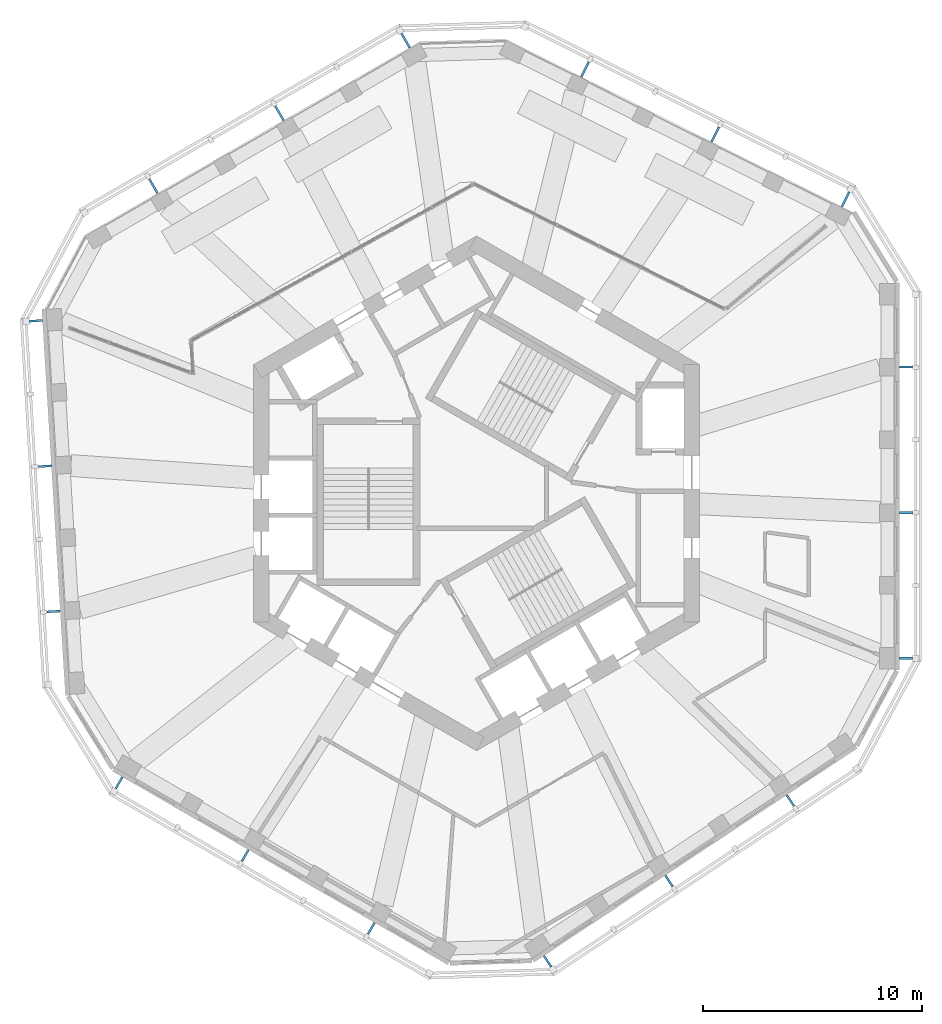
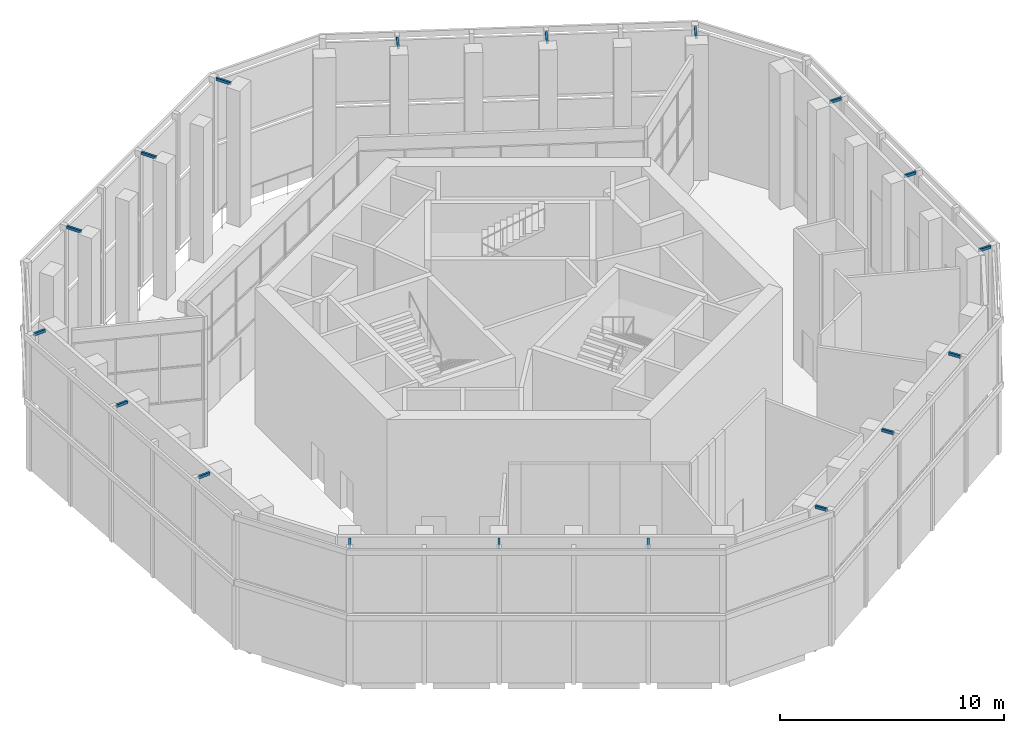
# One storey, part 13 of 16: 18 discrete accessories.
"""IFC4 building model written with IfcOpenShell, lengths in metres."""

from ifc_helpers import new_model, si_unit, direction, frame, origin, origin_2d, place, context, subcontext, project, spatial, rectangle, extrude, material, type_object, element, save


model = new_model("IFC4")

# Units and contexts
model_context = context("Model", 3, precision=1e-05, world=origin(), true_north=direction((0.0, 1.0)))
body_context = subcontext(model_context, "Body", "Model", "MODEL_VIEW")
ifc_project = project(units=[si_unit("LENGTHUNIT", "METRE"), si_unit("AREAUNIT", "SQUARE_METRE"), si_unit("VOLUMEUNIT", "CUBIC_METRE"), si_unit("PLANEANGLEUNIT", "RADIAN"), si_unit("MASSUNIT", "GRAM", prefix="KILO")], contexts=[model_context])

# Site, building, storey
site_placement = place(None, origin())
site = spatial("IfcSite", under=ifc_project, at=site_placement, CompositionType="ELEMENT")
building_placement = place(site_placement, origin())
building = spatial("IfcBuilding", under=site, at=building_placement, Name="Vanh Sen Convention Tower", CompositionType="ELEMENT")
storey_placement = place(building_placement, frame((0.0, 0.0, 278.300048828125)))
storey = spatial("IfcBuildingStorey", under=building, at=storey_placement, Name="L69", CompositionType="ELEMENT", Elevation=278.300048828125)

# Discrete accessories
ifc_material = material(Name="Steel S355", Category="steel")
discrete_accessory_type = type_object("IfcDiscreteAccessoryType", Name="Fin bracket 100 x 150", PredefinedType="BRACKET", material=ifc_material)
for number, where, z_axis, x_axis, name in (
    (1, (19.64990234375, -7.546630859375, 7.199951171875), (0.0, 0.0, 1.0), (1.0, 0.0, 0.0), "Fin bracket E-1 L69"),
    (2, (19.64990234375, -0.88330078125, 7.199951171875), (0.0, 0.0, 1.0), (1.0, 0.0, 0.0), "Fin bracket E-3 L69"),
    (3, (19.64990234375, 5.77978515625, 7.199951171875), (0.0, 0.0, 1.0), (1.0, 0.0, 0.0), "Fin bracket E-5 L69"),
):
    element("IfcDiscreteAccessory", number, at=place(storey_placement, frame(where, z_axis=z_axis, x_axis=x_axis)), inside=storey, type_object=discrete_accessory_type, Name=name, PredefinedType="BRACKET", context=body_context, shape_type="SweptSolid", body=[
        extrude(rectangle(XDim=0.60009765625, YDim=0.10009765625, at=origin_2d()), origin(), (0.0, 0.0, 1.0), 0.14990234375),
    ])
for number, where, z_axis, x_axis, name in (
    (4, (16.888427734375, 13.452880859375, 7.199951171875), (0.0, 0.0, 1.0), (0.44619781311, 0.894934361602, 0.0), "Fin bracket NE-1 L69"),
    (5, (10.92529296875, 16.426025390625, 7.199951171875), (0.0, 0.0, 1.0), (0.44619781311, 0.894934361602, 0.0), "Fin bracket NE-3 L69"),
    (6, (4.962158203125, 19.399169921875, 7.199951171875), (0.0, 0.0, 1.0), (0.44619781311, 0.894934361602, 0.0), "Fin bracket NE-5 L69"),
    (7, (-3.251708984375, 20.725830078125, 7.199951171875), (0.0, 0.0, 1.0), (-0.5, 0.866025403784, 0.0), "Fin bracket NW-1 L69"),
    (8, (-9.0224609375, 17.394287109375, 7.199951171875), (0.0, 0.0, 1.0), (-0.5, 0.866025403784, 0.0), "Fin bracket NW-3 L69"),
    (9, (-14.79296875, 14.0625, 7.199951171875), (0.0, 0.0, 1.0), (-0.5, 0.866025403784, 0.0), "Fin bracket NW-5 L69"),
):
    element("IfcDiscreteAccessory", number, at=place(storey_placement, frame(where, z_axis=z_axis, x_axis=x_axis)), inside=storey, type_object=discrete_accessory_type, Name=name, PredefinedType="BRACKET", context=body_context, shape_type="SweptSolid", body=[
        extrude(rectangle(XDim=0.75, YDim=0.10009765625, at=origin_2d()), origin(), (0.0, 0.0, 1.0), 0.14990234375),
    ])
for number, where, z_axis, x_axis, name in (
    (10, (-20.169677734375, 7.89501953125, 7.199951171875), (0.0, 0.0, 1.0), (-0.998134798422, -0.061048539535, 0.0), "Fin bracket W-1 L69"),
    (11, (-19.7626953125, 1.243896484375, 7.199951171875), (0.0, 0.0, 1.0), (-0.998134798422, -0.061048539535, 0.0), "Fin bracket W-3 L69"),
    (12, (-19.35595703125, -5.40673828125, 7.199951171875), (0.0, 0.0, 1.0), (-0.998134798422, -0.061048539535, 0.0), "Fin bracket W-5 L69"),
    (13, (-16.360595703125, -13.243896484375, 7.199951171875), (0.0, 0.0, 1.0), (-0.5, -0.866025403784, 0.0), "Fin bracket SW-1 L69"),
    (14, (-10.590087890625, -16.57568359375, 7.199951171875), (0.0, 0.0, 1.0), (-0.5, -0.866025403784, 0.0), "Fin bracket SW-3 L69"),
    (15, (-4.819580078125, -19.9072265625, 7.199951171875), (0.0, 0.0, 1.0), (-0.5, -0.866025403784, 0.0), "Fin bracket SW-5 L69"),
    (16, (3.24755859375, -21.414794921875, 7.199951171875), (0.0, 0.0, 1.0), (0.551936985312, -0.833885822067, 0.0), "Fin bracket SE-1 L69"),
    (17, (8.803955078125, -17.737060546875, 7.199951171875), (0.0, 0.0, 1.0), (0.551936985312, -0.833885822067, 0.0), "Fin bracket SE-3 L69"),
    (18, (14.3603515625, -14.059326171875, 7.199951171875), (0.0, 0.0, 1.0), (0.551936985312, -0.833885822067, 0.0), "Fin bracket SE-5 L69"),
):
    element("IfcDiscreteAccessory", number, at=place(storey_placement, frame(where, z_axis=z_axis, x_axis=x_axis)), inside=storey, type_object=discrete_accessory_type, Name=name, PredefinedType="BRACKET", context=body_context, shape_type="SweptSolid", body=[
        extrude(rectangle(XDim=0.60009765625, YDim=0.10009765625, at=origin_2d()), origin(), (0.0, 0.0, 1.0), 0.14990234375),
    ])

save(model, "model.ifc")
